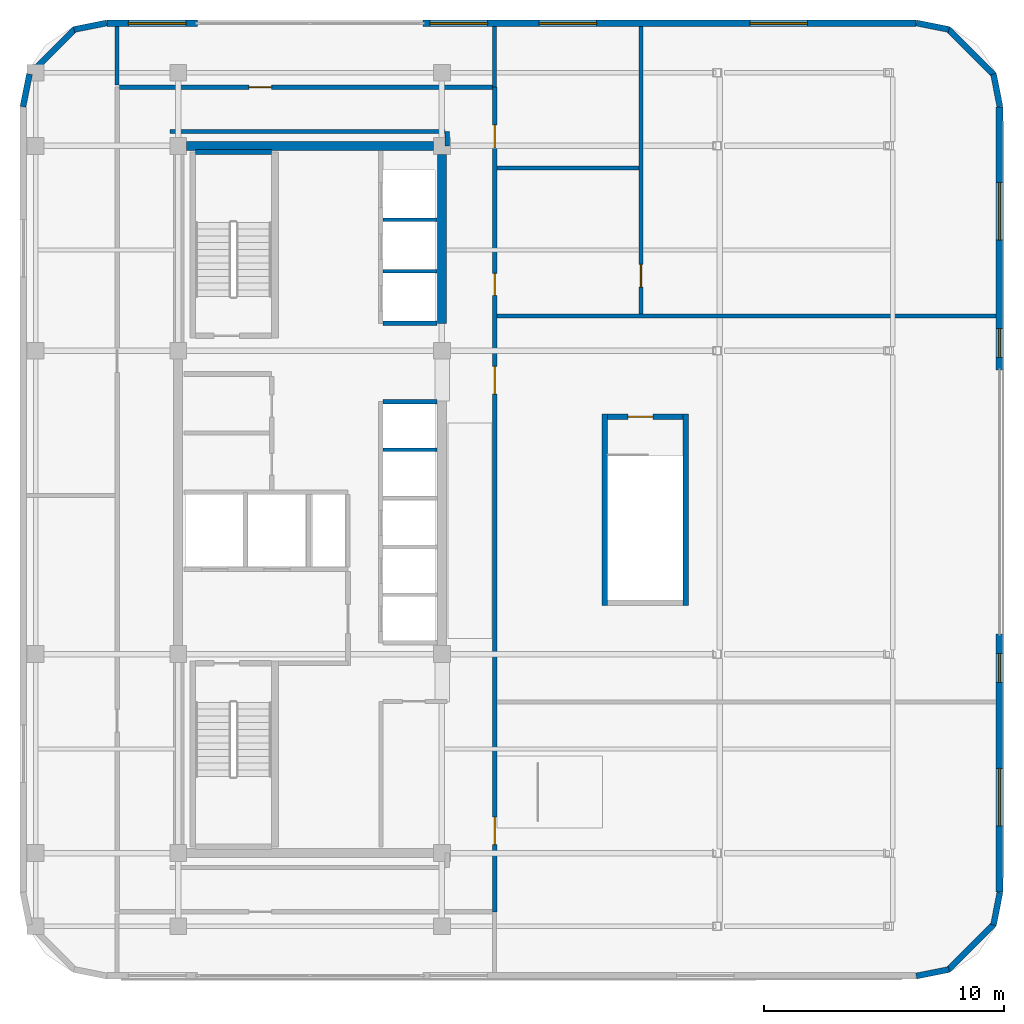
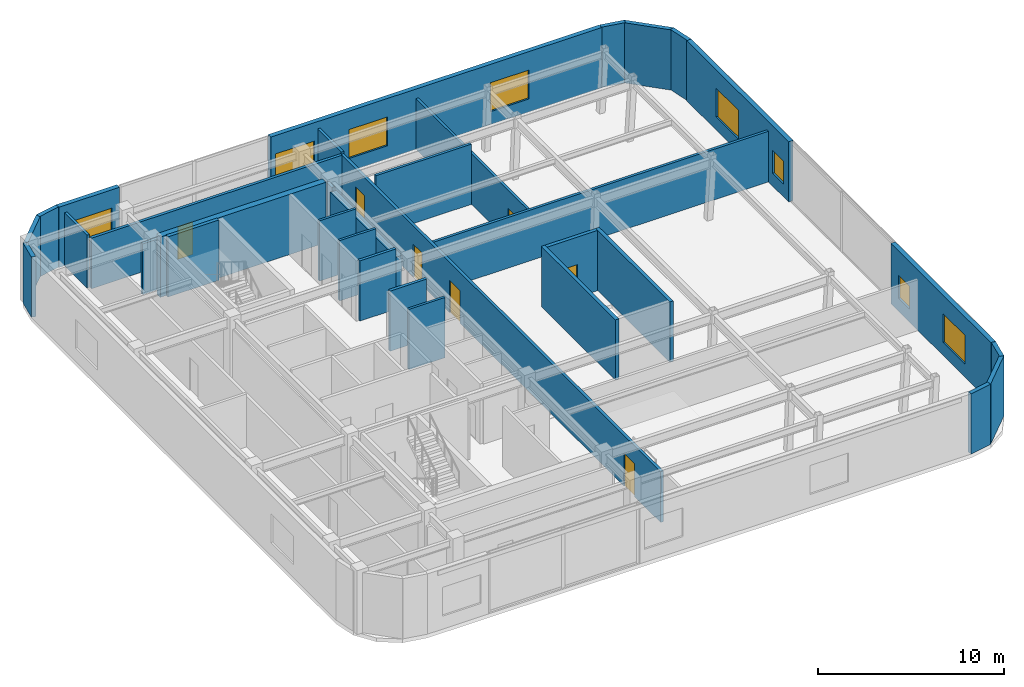
# One storey, part 7 of 11: 33 walls, 8 windows, 7 doors, 15 openings.
"""IFC4 building model written with IfcOpenShell, lengths in metres."""

from ifc_helpers import new_model, si_unit, direction, frame, frame_2d, origin, place, context, subcontext, project, spatial, rectangle, extrude, material, layer, layer_set, type_object, element, fill, save


model = new_model("IFC4")

# Units and contexts
model_context = context("Model", 3, precision=1e-05, world=origin(), true_north=direction((0.0, 1.0)))
body_context = subcontext(model_context, "Body", "Model", "MODEL_VIEW")
ifc_project = project(units=[si_unit("LENGTHUNIT", "METRE"), si_unit("AREAUNIT", "SQUARE_METRE"), si_unit("VOLUMEUNIT", "CUBIC_METRE"), si_unit("PLANEANGLEUNIT", "RADIAN"), si_unit("MASSUNIT", "GRAM", prefix="KILO")], contexts=[model_context])

# Site, building, storey
site_placement = place(None, origin())
site = spatial("IfcSite", under=ifc_project, at=site_placement, CompositionType="ELEMENT")
building_placement = place(site_placement, origin())
building = spatial("IfcBuilding", under=site, at=building_placement, Name="Ochreholt Gables", CompositionType="ELEMENT")
storey_placement = place(building_placement, frame((0.0, 0.0, 192.0)))
storey = spatial("IfcBuildingStorey", under=building, at=storey_placement, Name="L50", CompositionType="ELEMENT", Elevation=192.0)

# Walls
ifc_material_1 = material(Name="Concrete 50 MPa", Category="concrete")
ifc_layer_1 = layer(ifc_material_1, 0.3798828125, Name="Concrete 50 MPa")
ifc_layer_set_1 = layer_set([ifc_layer_1], Name="Concrete 50 MPa")
wall_type_1 = type_object("IfcWallType", Name="WALL-CSW-380", PredefinedType="SHEAR", material=ifc_layer_set_1)
wall_1_placement = place(storey_placement, frame((35.2099609375, 31.35009765625, 0.0), z_axis=(0.0, 0.0, 1.0), x_axis=(0.0, 1.0, 0.0)))
element("IfcWall", 1, at=wall_1_placement, inside=storey, type_object=wall_type_1, Name="L50 Core North-East Shear Wall", PredefinedType="SHEAR", context=body_context, shape_type="SweptSolid", body=[
    extrude(rectangle(XDim=7.0498046875, YDim=0.3798828125, at=frame_2d((3.52490234375, 0.0))), origin(), (0.0, 0.0, 1.0), 3.347900390625),
])
wall_2_placement = place(storey_placement, frame((24.550048828125, 38.75, 0.0), z_axis=(0.0, 0.0, 1.0), x_axis=(1.0, 0.0, 0.0)))
element("IfcWall", 2, at=wall_2_placement, inside=storey, type_object=wall_type_1, Name="L50 Core North Shear Wall", PredefinedType="SHEAR", context=body_context, shape_type="SweptSolid", body=[
    extrude(rectangle(XDim=10.300048828125, YDim=0.3798828125, at=frame_2d((5.14990234375, 0.0))), origin(), (0.0, 0.0, 1.0), 3.9599609375),
])

# Wall, openings, windows
ifc_material_2 = material(Name="Precast concrete 40 MPa", Category="concrete")
ifc_layer_2 = layer(ifc_material_2, 0.280029296875, Name="Precast concrete 40 MPa")
ifc_layer_set_2 = layer_set([ifc_layer_2], Name="Precast concrete 40 MPa")
wall_type_2 = type_object("IfcWallType", Name="WALL-EXT-280", PredefinedType="SOLIDWALL", material=ifc_layer_set_2)
wall_3_placement = place(storey_placement, frame((58.4599609375, 7.6201171875, 0.0), z_axis=(0.0, 0.0, 1.0), x_axis=(0.0, 1.0, 0.0)))
wall_3 = element("IfcWall", 3, at=wall_3_placement, inside=storey, type_object=wall_type_2, Name="L50 East Facade Wall 1", PredefinedType="SOLIDWALL", context=body_context, shape_type="SweptSolid", body=[
    extrude(rectangle(XDim=10.77978515625, YDim=0.280029296875, at=frame_2d((5.389892578125, 0.0))), origin(), (0.0, 0.0, 1.0), 3.9599609375),
])
opening_1_placement = place(wall_3_placement, frame((2.764892578125, 0.0, 0.85009765625)))
opening_1 = element("IfcOpeningElement", 4, at=opening_1_placement, cuts=wall_3, Name="Opening WN-5", PredefinedType="OPENING", context=body_context, shape_type="SweptSolid", body=[
    extrude(rectangle(XDim=2.39990234375, YDim=1.89990234375, at=frame_2d((1.199951171875, 0.949951171875))), frame((0.0, 0.14990234375, 0.0), z_axis=(0.0, -1.0, 0.0), x_axis=(1.0, 0.0, 0.0)), (0.0, 0.0, 1.0), 0.300048828125),
])
opening_2_placement = place(wall_3_placement, frame((8.7548828125, 0.0, 0.85009765625)))
opening_2 = element("IfcOpeningElement", 5, at=opening_2_placement, cuts=wall_3, Name="Opening WN-3", PredefinedType="OPENING", context=body_context, shape_type="SweptSolid", body=[
    extrude(rectangle(XDim=1.199951171875, YDim=1.5, at=frame_2d((0.60009765625, 0.75))), frame((0.0, 0.14990234375, 0.0), z_axis=(0.0, -1.0, 0.0), x_axis=(1.0, 0.0, 0.0)), (0.0, 0.0, 1.0), 0.300048828125),
])
ifc_material_3 = material(Name="Triple-Glazed Thermally Broken Aluminium Window", Category="aluminium")
window_type_1 = type_object("IfcWindowType", Name="WIN-COM-2400", PartitioningType="SINGLE_PANEL", PredefinedType="WINDOW", material=ifc_material_3)
window_1_placement = place(opening_1_placement, origin())
window_1 = element("IfcWindow", 6, at=window_1_placement, inside=storey, type_object=window_type_1, Name="L50 Window W-EXT-E1-L50-1", OverallHeight=1.89990234375, OverallWidth=2.39990234375, PartitioningType="SINGLE_PANEL", PredefinedType="WINDOW", context=body_context, shape_type="SweptSolid", body=[
    extrude(rectangle(XDim=2.39990234375, YDim=1.89990234375, at=frame_2d((1.199951171875, 0.949951171875))), frame((0.0, 0.030029296875, 0.0), z_axis=(0.0, -1.0, 0.0), x_axis=(1.0, 0.0, 0.0)), (0.0, 0.0, 1.0), 0.06005859375),
])
fill(opening_1, window_1)
window_type_2 = type_object("IfcWindowType", Name="WIN-RES-1200", PartitioningType="SINGLE_PANEL", PredefinedType="WINDOW", material=ifc_material_3)
window_2_placement = place(opening_2_placement, origin())
window_2 = element("IfcWindow", 7, at=window_2_placement, inside=storey, type_object=window_type_2, Name="L50 Window W-EXT-E1-L50-2", OverallHeight=1.5, OverallWidth=1.199951171875, PartitioningType="SINGLE_PANEL", PredefinedType="WINDOW", context=body_context, shape_type="SweptSolid", body=[
    extrude(rectangle(XDim=1.199951171875, YDim=1.5, at=frame_2d((0.60009765625, 0.75))), frame((0.0, 0.030029296875, 0.0), z_axis=(0.0, -1.0, 0.0), x_axis=(1.0, 0.0, 0.0)), (0.0, 0.0, 1.0), 0.06005859375),
])
fill(opening_2, window_2)

wall_4_placement = place(storey_placement, frame((58.4599609375, 29.39990234375, 0.0), z_axis=(0.0, 0.0, 1.0), x_axis=(0.0, 1.0, 0.0)))
wall_4 = element("IfcWall", 8, at=wall_4_placement, inside=storey, type_object=wall_type_2, Name="L50 East Facade Wall 2", PredefinedType="SOLIDWALL", context=body_context, shape_type="SweptSolid", body=[
    extrude(rectangle(XDim=10.97998046875, YDim=0.280029296875, at=frame_2d((5.489990234375, 0.0))), origin(), (0.0, 0.0, 1.0), 3.9599609375),
])
opening_3_placement = place(wall_4_placement, frame((0.530029296875, 0.0, 0.85009765625)))
opening_3 = element("IfcOpeningElement", 9, at=opening_3_placement, cuts=wall_4, Name="Opening WN-3", PredefinedType="OPENING", context=body_context, shape_type="SweptSolid", body=[
    extrude(rectangle(XDim=1.199951171875, YDim=1.5, at=frame_2d((0.60009765625, 0.75))), frame((0.0, 0.14990234375, 0.0), z_axis=(0.0, -1.0, 0.0), x_axis=(1.0, 0.0, 0.0)), (0.0, 0.0, 1.0), 0.300048828125),
])
opening_4_placement = place(wall_4_placement, frame((5.419921875, 0.0, 0.85009765625)))
opening_4 = element("IfcOpeningElement", 10, at=opening_4_placement, cuts=wall_4, Name="Opening WN-5", PredefinedType="OPENING", context=body_context, shape_type="SweptSolid", body=[
    extrude(rectangle(XDim=2.39990234375, YDim=1.89990234375, at=frame_2d((1.199951171875, 0.949951171875))), frame((0.0, 0.14990234375, 0.0), z_axis=(0.0, -1.0, 0.0), x_axis=(1.0, 0.0, 0.0)), (0.0, 0.0, 1.0), 0.300048828125),
])
window_3_placement = place(opening_4_placement, origin())
window_3 = element("IfcWindow", 11, at=window_3_placement, inside=storey, type_object=window_type_1, Name="L50 Window W-EXT-E2-L50-2", OverallHeight=1.89990234375, OverallWidth=2.39990234375, PartitioningType="SINGLE_PANEL", PredefinedType="WINDOW", context=body_context, shape_type="SweptSolid", body=[
    extrude(rectangle(XDim=2.39990234375, YDim=1.89990234375, at=frame_2d((1.199951171875, 0.949951171875))), frame((0.0, 0.030029296875, 0.0), z_axis=(0.0, -1.0, 0.0), x_axis=(1.0, 0.0, 0.0)), (0.0, 0.0, 1.0), 0.06005859375),
])
fill(opening_4, window_3)
window_4_placement = place(opening_3_placement, origin())
window_4 = element("IfcWindow", 12, at=window_4_placement, inside=storey, type_object=window_type_2, Name="L50 Window W-EXT-E2-L50-1", OverallHeight=1.5, OverallWidth=1.199951171875, PartitioningType="SINGLE_PANEL", PredefinedType="WINDOW", context=body_context, shape_type="SweptSolid", body=[
    extrude(rectangle(XDim=1.199951171875, YDim=1.5, at=frame_2d((0.60009765625, 0.75))), frame((0.0, 0.030029296875, 0.0), z_axis=(0.0, -1.0, 0.0), x_axis=(1.0, 0.0, 0.0)), (0.0, 0.0, 1.0), 0.06005859375),
])
fill(opening_3, window_4)

wall_5_placement = place(storey_placement, frame((54.97998046875, 43.860107421875, 0.0), z_axis=(0.0, 0.0, 1.0), x_axis=(-1.0, 0.0, 0.0)))
wall_5 = element("IfcWall", 13, at=wall_5_placement, inside=storey, type_object=wall_type_2, Name="L50 North Facade Wall 1", PredefinedType="SOLIDWALL", context=body_context, shape_type="SweptSolid", body=[
    extrude(rectangle(XDim=20.580078125, YDim=0.280029296875, at=frame_2d((10.2900390625, 0.0))), origin(), (0.0, 0.0, 1.0), 3.9599609375),
])
opening_5_placement = place(wall_5_placement, frame((17.8798828125, 0.0, 0.85009765625)))
opening_5 = element("IfcOpeningElement", 14, at=opening_5_placement, cuts=wall_5, Name="Opening WN-5", PredefinedType="OPENING", context=body_context, shape_type="SweptSolid", body=[
    extrude(rectangle(XDim=2.39990234375, YDim=1.89990234375, at=frame_2d((1.199951171875, 0.949951171875))), frame((0.0, 0.14990234375, 0.0), z_axis=(0.0, -1.0, 0.0), x_axis=(1.0, 0.0, 0.0)), (0.0, 0.0, 1.0), 0.300048828125),
])
opening_6_placement = place(wall_5_placement, frame((13.330078125, 0.0, 0.85009765625)))
opening_6 = element("IfcOpeningElement", 15, at=opening_6_placement, cuts=wall_5, Name="Opening WN-5", PredefinedType="OPENING", context=body_context, shape_type="SweptSolid", body=[
    extrude(rectangle(XDim=2.39990234375, YDim=1.89990234375, at=frame_2d((1.199951171875, 0.949951171875))), frame((0.0, 0.14990234375, 0.0), z_axis=(0.0, -1.0, 0.0), x_axis=(1.0, 0.0, 0.0)), (0.0, 0.0, 1.0), 0.300048828125),
])
opening_7_placement = place(wall_5_placement, frame((4.5400390625, 0.0, 0.85009765625)))
opening_7 = element("IfcOpeningElement", 16, at=opening_7_placement, cuts=wall_5, Name="Opening WN-5", PredefinedType="OPENING", context=body_context, shape_type="SweptSolid", body=[
    extrude(rectangle(XDim=2.39990234375, YDim=1.89990234375, at=frame_2d((1.199951171875, 0.949951171875))), frame((0.0, 0.14990234375, 0.0), z_axis=(0.0, -1.0, 0.0), x_axis=(1.0, 0.0, 0.0)), (0.0, 0.0, 1.0), 0.300048828125),
])
window_5_placement = place(opening_5_placement, origin())
window_5 = element("IfcWindow", 17, at=window_5_placement, inside=storey, type_object=window_type_1, Name="L50 Window W-EXT-N1-L50-1", OverallHeight=1.89990234375, OverallWidth=2.39990234375, PartitioningType="SINGLE_PANEL", PredefinedType="WINDOW", context=body_context, shape_type="SweptSolid", body=[
    extrude(rectangle(XDim=2.39990234375, YDim=1.89990234375, at=frame_2d((1.199951171875, 0.949951171875))), frame((0.0, 0.030029296875, 0.0), z_axis=(0.0, -1.0, 0.0), x_axis=(1.0, 0.0, 0.0)), (0.0, 0.0, 1.0), 0.06005859375),
])
fill(opening_5, window_5)
window_6_placement = place(opening_6_placement, origin())
window_6 = element("IfcWindow", 18, at=window_6_placement, inside=storey, type_object=window_type_1, Name="L50 Window W-EXT-N1-L50-2", OverallHeight=1.89990234375, OverallWidth=2.39990234375, PartitioningType="SINGLE_PANEL", PredefinedType="WINDOW", context=body_context, shape_type="SweptSolid", body=[
    extrude(rectangle(XDim=2.39990234375, YDim=1.89990234375, at=frame_2d((1.199951171875, 0.949951171875))), frame((0.0, 0.030029296875, 0.0), z_axis=(0.0, -1.0, 0.0), x_axis=(1.0, 0.0, 0.0)), (0.0, 0.0, 1.0), 0.06005859375),
])
fill(opening_6, window_6)
window_7_placement = place(opening_7_placement, origin())
window_7 = element("IfcWindow", 19, at=window_7_placement, inside=storey, type_object=window_type_1, Name="L50 Window W-EXT-N1-L50-3", OverallHeight=1.89990234375, OverallWidth=2.39990234375, PartitioningType="SINGLE_PANEL", PredefinedType="WINDOW", context=body_context, shape_type="SweptSolid", body=[
    extrude(rectangle(XDim=2.39990234375, YDim=1.89990234375, at=frame_2d((1.199951171875, 0.949951171875))), frame((0.0, 0.030029296875, 0.0), z_axis=(0.0, -1.0, 0.0), x_axis=(1.0, 0.0, 0.0)), (0.0, 0.0, 1.0), 0.06005859375),
])
fill(opening_7, window_7)

# Wall, opening, window
wall_6_placement = place(storey_placement, frame((25.0, 43.860107421875, 0.0), z_axis=(0.0, 0.0, 1.0), x_axis=(-1.0, 0.0, 0.0)))
wall_6 = element("IfcWall", 20, at=wall_6_placement, inside=storey, type_object=wall_type_2, Name="L50 North Facade Wall 2", PredefinedType="SOLIDWALL", context=body_context, shape_type="SweptSolid", body=[
    extrude(rectangle(XDim=3.780029296875, YDim=0.280029296875, at=frame_2d((1.89013671875, 0.0))), origin(), (0.0, 0.0, 1.0), 3.9599609375),
])
opening_8_placement = place(wall_6_placement, frame((0.47509765625, 0.0, 0.85009765625)))
opening_8 = element("IfcOpeningElement", 21, at=opening_8_placement, cuts=wall_6, Name="Opening WN-5", PredefinedType="OPENING", context=body_context, shape_type="SweptSolid", body=[
    extrude(rectangle(XDim=2.39990234375, YDim=1.89990234375, at=frame_2d((1.199951171875, 0.949951171875))), frame((0.0, 0.14990234375, 0.0), z_axis=(0.0, -1.0, 0.0), x_axis=(1.0, 0.0, 0.0)), (0.0, 0.0, 1.0), 0.300048828125),
])
window_8_placement = place(opening_8_placement, origin())
window_8 = element("IfcWindow", 22, at=window_8_placement, inside=storey, type_object=window_type_1, Name="L50 Window W-EXT-N2-L50-1", OverallHeight=1.89990234375, OverallWidth=2.39990234375, PartitioningType="SINGLE_PANEL", PredefinedType="WINDOW", context=body_context, shape_type="SweptSolid", body=[
    extrude(rectangle(XDim=2.39990234375, YDim=1.89990234375, at=frame_2d((1.199951171875, 0.949951171875))), frame((0.0, 0.030029296875, 0.0), z_axis=(0.0, -1.0, 0.0), x_axis=(1.0, 0.0, 0.0)), (0.0, 0.0, 1.0), 0.06005859375),
])
fill(opening_8, window_8)

# Walls
ifc_layer_3 = layer(ifc_material_2, 0.25, Name="Precast concrete 40 MPa")
ifc_layer_set_3 = layer_set([ifc_layer_3], Name="Precast concrete 40 MPa")
wall_type_3 = type_object("IfcWallType", Name="WALL-EXT-CNR", PredefinedType="SOLIDWALL", material=ifc_layer_set_3)
wall_7_placement = place(storey_placement, frame((54.9833984375, 4.124267578125, 0.0), z_axis=(0.0, 0.0, 1.0), x_axis=(0.980809899341, 0.19496651342, 0.0)))
element("IfcWall", 23, at=wall_7_placement, inside=storey, type_object=wall_type_3, Name="L50 Rounded Corner Wall SE-1", PredefinedType="SOLIDWALL", context=body_context, shape_type="SweptSolid", body=[
    extrude(rectangle(XDim=1.388671875, YDim=0.25, at=frame_2d((0.6943359375, 0.0))), origin(), (0.0, 0.0, 1.0), 3.9599609375),
])
wall_8_placement = place(storey_placement, frame((56.294921875, 4.367919921875, 0.0), z_axis=(0.0, 0.0, 1.0), x_axis=(0.707106781187, 0.707106781187, 0.0)))
element("IfcWall", 24, at=wall_8_placement, inside=storey, type_object=wall_type_3, Name="L50 Rounded Corner Wall SE-2", PredefinedType="SOLIDWALL", context=body_context, shape_type="SweptSolid", body=[
    extrude(rectangle(XDim=2.7392578125, YDim=0.25, at=frame_2d((1.36962890625, 0.0))), origin(), (0.0, 0.0, 1.0), 3.9599609375),
])
for number, where, z_axis, x_axis, name in (
    (25, (58.205078125, 6.25439453125, 0.0), (0.0, 0.0, 1.0), (0.19496651342, 0.980809899341, 0.0), "L50 Rounded Corner Wall SE-3"),
    (26, (58.475830078125, 40.383544921875, 0.0), (0.0, 0.0, 1.0), (-0.19496651342, 0.980809899341, 0.0), "L50 Rounded Corner Wall NE-1"),
):
    element("IfcWall", number, at=place(storey_placement, frame(where, z_axis=z_axis, x_axis=x_axis)), inside=storey, type_object=wall_type_3, Name=name, PredefinedType="SOLIDWALL", context=body_context, shape_type="SweptSolid", body=[
        extrude(rectangle(XDim=1.388671875, YDim=0.25, at=frame_2d((0.6943359375, 0.0))), origin(), (0.0, 0.0, 1.0), 3.9599609375),
    ])
wall_9_placement = place(storey_placement, frame((58.23193359375, 41.695068359375, 0.0), z_axis=(0.0, 0.0, 1.0), x_axis=(-0.707106781187, 0.707106781187, 0.0)))
element("IfcWall", 27, at=wall_9_placement, inside=storey, type_object=wall_type_3, Name="L50 Rounded Corner Wall NE-2", PredefinedType="SOLIDWALL", context=body_context, shape_type="SweptSolid", body=[
    extrude(rectangle(XDim=2.7392578125, YDim=0.25, at=frame_2d((1.36962890625, 0.0))), origin(), (0.0, 0.0, 1.0), 3.9599609375),
])
for number, where, z_axis, x_axis, name in (
    (28, (56.345458984375, 43.60498046875, 0.0), (0.0, 0.0, 1.0), (-0.980809899341, 0.19496651342, 0.0), "L50 Rounded Corner Wall NE-3"),
    (29, (21.216552734375, 43.875732421875, 0.0), (0.0, 0.0, 1.0), (-0.980809899341, -0.19496651342, 0.0), "L50 Rounded Corner Wall NW-1"),
):
    element("IfcWall", number, at=place(storey_placement, frame(where, z_axis=z_axis, x_axis=x_axis)), inside=storey, type_object=wall_type_3, Name=name, PredefinedType="SOLIDWALL", context=body_context, shape_type="SweptSolid", body=[
        extrude(rectangle(XDim=1.388671875, YDim=0.25, at=frame_2d((0.6943359375, 0.0))), origin(), (0.0, 0.0, 1.0), 3.9599609375),
    ])
wall_10_placement = place(storey_placement, frame((19.905029296875, 43.632080078125, 0.0), z_axis=(0.0, 0.0, 1.0), x_axis=(-0.707106781187, -0.707106781187, 0.0)))
element("IfcWall", 30, at=wall_10_placement, inside=storey, type_object=wall_type_3, Name="L50 Rounded Corner Wall NW-2", PredefinedType="SOLIDWALL", context=body_context, shape_type="SweptSolid", body=[
    extrude(rectangle(XDim=2.7392578125, YDim=0.25, at=frame_2d((1.36962890625, 0.0))), origin(), (0.0, 0.0, 1.0), 3.9599609375),
])
wall_11_placement = place(storey_placement, frame((17.9951171875, 41.74560546875, 0.0), z_axis=(0.0, 0.0, 1.0), x_axis=(-0.195135625965, -0.9807762678, 0.0)))
element("IfcWall", 31, at=wall_11_placement, inside=storey, type_object=wall_type_3, Name="L50 Rounded Corner Wall NW-3", PredefinedType="SOLIDWALL", context=body_context, shape_type="SweptSolid", body=[
    extrude(rectangle(XDim=1.388671875, YDim=0.25, at=frame_2d((0.6943359375, 0.0))), origin(), (0.0, 0.0, 1.0), 3.9599609375),
])

# Wall, openings, doors
ifc_material_4 = material(Name="Fire-Rated Gypsum Acoustic Partition", Category="gypsum")
ifc_layer_4 = layer(ifc_material_4, 0.179931640625, Name="Fire-Rated Gypsum Acoustic Partition")
ifc_layer_set_4 = layer_set([ifc_layer_4], Name="Fire-Rated Gypsum Acoustic Partition")
wall_type_4 = type_object("IfcWallType", Name="WALL-INT-CR180", PredefinedType="STANDARD", material=ifc_layer_set_4)
wall_12_placement = place(storey_placement, frame((37.39990234375, 6.800048828125, 0.0), z_axis=(0.0, 0.0, 1.0), x_axis=(0.0, 1.0, 0.0)))
wall_12 = element("IfcWall", 32, at=wall_12_placement, inside=storey, type_object=wall_type_4, Name="L50 Interior Wall WI-CMCE-L50", PredefinedType="STANDARD", context=body_context, shape_type="SweptSolid", body=[
    extrude(rectangle(XDim=34.39990234375, YDim=0.179931640625, at=frame_2d((17.199951171875, 0.0))), origin(), (0.0, 0.0, 1.0), 3.330078125),
])
opening_9_placement = place(wall_12_placement, frame((25.7099609375, 0.0, 0.0)))
opening_9 = element("IfcOpeningElement", 33, at=opening_9_placement, cuts=wall_12, Name="Opening D-WC1", PredefinedType="OPENING", context=body_context, shape_type="SweptSolid", body=[
    extrude(rectangle(XDim=0.919921875, YDim=2.139892578125, at=frame_2d((0.4599609375, 1.06982421875))), frame((0.0, 0.099853515625, 0.0), z_axis=(0.0, -1.0, 0.0), x_axis=(1.0, 0.0, 0.0)), (0.0, 0.0, 1.0), 0.199951171875),
])
opening_10_placement = place(wall_12_placement, frame((31.8798828125, 0.0, 0.0)))
opening_10 = element("IfcOpeningElement", 34, at=opening_10_placement, cuts=wall_12, Name="Opening D-WC2", PredefinedType="OPENING", context=body_context, shape_type="SweptSolid", body=[
    extrude(rectangle(XDim=0.949951171875, YDim=2.139892578125, at=frame_2d((0.47509765625, 1.06982421875))), frame((0.0, 0.099853515625, 0.0), z_axis=(0.0, -1.0, 0.0), x_axis=(1.0, 0.0, 0.0)), (0.0, 0.0, 1.0), 0.199951171875),
])
opening_11_placement = place(wall_12_placement, frame((2.800048828125, 0.0, 0.0)))
opening_11 = element("IfcOpeningElement", 35, at=opening_11_placement, cuts=wall_12, Name="Opening D-CM1", PredefinedType="OPENING", context=body_context, shape_type="SweptSolid", body=[
    extrude(rectangle(XDim=1.14990234375, YDim=2.14990234375, at=frame_2d((0.574951171875, 1.074951171875))), frame((0.0, 0.099853515625, 0.0), z_axis=(0.0, -1.0, 0.0), x_axis=(1.0, 0.0, 0.0)), (0.0, 0.0, 1.0), 0.199951171875),
])
opening_12_placement = place(wall_12_placement, frame((21.60009765625, 0.0, 0.0)))
opening_12 = element("IfcOpeningElement", 36, at=opening_12_placement, cuts=wall_12, Name="Opening D-CM1", PredefinedType="OPENING", context=body_context, shape_type="SweptSolid", body=[
    extrude(rectangle(XDim=1.14990234375, YDim=2.14990234375, at=frame_2d((0.574951171875, 1.074951171875))), frame((0.0, 0.099853515625, 0.0), z_axis=(0.0, -1.0, 0.0), x_axis=(1.0, 0.0, 0.0)), (0.0, 0.0, 1.0), 0.199951171875),
])
ifc_material_5 = material(Name="Engineered Oak Timber", Category="wood")
door_type_1 = type_object("IfcDoorType", Name="DR-INT-COM1150", OperationType="NOTDEFINED", PredefinedType="DOOR", material=ifc_material_5)
door_1_placement = place(opening_11_placement, origin())
door_1 = element("IfcDoor", 37, at=door_1_placement, inside=storey, type_object=door_type_1, Name="L50 Door D-CMS-L50", OperationType="SINGLE_SWING_LEFT", OverallHeight=2.14990234375, OverallWidth=1.14990234375, PredefinedType="DOOR", context=body_context, shape_type="SweptSolid", body=[
    extrude(rectangle(XDim=1.14990234375, YDim=2.14990234375, at=frame_2d((0.574951171875, 1.074951171875))), frame((0.0, 0.02490234375, 0.0), z_axis=(0.0, -1.0, 0.0), x_axis=(1.0, 0.0, 0.0)), (0.0, 0.0, 1.0), 0.050048828125),
])
fill(opening_11, door_1)
door_2_placement = place(opening_12_placement, origin())
door_2 = element("IfcDoor", 38, at=door_2_placement, inside=storey, type_object=door_type_1, Name="L50 Door D-CMM-L50", OperationType="SINGLE_SWING_RIGHT", OverallHeight=2.14990234375, OverallWidth=1.14990234375, PredefinedType="DOOR", context=body_context, shape_type="SweptSolid", body=[
    extrude(rectangle(XDim=1.14990234375, YDim=2.14990234375, at=frame_2d((0.574951171875, 1.074951171875))), frame((0.0, 0.02490234375, 0.0), z_axis=(0.0, -1.0, 0.0), x_axis=(1.0, 0.0, 0.0)), (0.0, 0.0, 1.0), 0.050048828125),
])
fill(opening_12, door_2)
door_type_2 = type_object("IfcDoorType", Name="DR-INT-WC920", OperationType="NOTDEFINED", PredefinedType="DOOR", material=ifc_material_5)
door_3_placement = place(opening_9_placement, origin())
door_3 = element("IfcDoor", 39, at=door_3_placement, inside=storey, type_object=door_type_2, Name="L50 Door D-CMWC1-L50", OperationType="SINGLE_SWING_LEFT", OverallHeight=2.139892578125, OverallWidth=0.919921875, PredefinedType="DOOR", context=body_context, shape_type="SweptSolid", body=[
    extrude(rectangle(XDim=0.919921875, YDim=2.139892578125, at=frame_2d((0.4599609375, 1.06982421875))), frame((0.0, 0.02490234375, 0.0), z_axis=(0.0, -1.0, 0.0), x_axis=(1.0, 0.0, 0.0)), (0.0, 0.0, 1.0), 0.050048828125),
])
fill(opening_9, door_3)
door_type_3 = type_object("IfcDoorType", Name="DR-INT-WC950", OperationType="NOTDEFINED", PredefinedType="DOOR", material=ifc_material_5)
door_4_placement = place(opening_10_placement, origin())
door_4 = element("IfcDoor", 40, at=door_4_placement, inside=storey, type_object=door_type_3, Name="L50 Door D-CMWC2-L50", OperationType="SINGLE_SWING_RIGHT", OverallHeight=2.139892578125, OverallWidth=0.949951171875, PredefinedType="DOOR", context=body_context, shape_type="SweptSolid", body=[
    extrude(rectangle(XDim=0.949951171875, YDim=2.139892578125, at=frame_2d((0.47509765625, 1.06982421875))), frame((0.0, 0.02490234375, 0.0), z_axis=(0.0, -1.0, 0.0), x_axis=(1.0, 0.0, 0.0)), (0.0, 0.0, 1.0), 0.050048828125),
])
fill(opening_10, door_4)

# Wall
wall_13_placement = place(storey_placement, frame((35.419921875, 38.75, 0.0), z_axis=(0.0, 0.0, 1.0), x_axis=(0.0, 1.0, 0.0)))
element("IfcWall", 41, at=wall_13_placement, inside=storey, type_object=wall_type_4, Name="L50 Interior Wall WI-CMCNW1-L50", PredefinedType="STANDARD", context=body_context, shape_type="SweptSolid", body=[
    extrude(rectangle(XDim=0.60009765625, YDim=0.179931640625, at=frame_2d((0.300048828125, 0.0))), origin(), (0.0, 0.0, 1.0), 3.330078125),
])

# Wall, opening, door
wall_14_placement = place(storey_placement, frame((21.739990234375, 41.199951171875, 0.0), z_axis=(0.0, 0.0, 1.0), x_axis=(1.0, 0.0, 0.0)))
wall_14 = element("IfcWall", 42, at=wall_14_placement, inside=storey, type_object=wall_type_4, Name="L50 Interior Wall WI-CMCN-L50", PredefinedType="STANDARD", context=body_context, shape_type="SweptSolid", body=[
    extrude(rectangle(XDim=15.570068359375, YDim=0.179931640625, at=frame_2d((7.78515625, 0.0))), origin(), (0.0, 0.0, 1.0), 3.330078125),
])
opening_13_placement = place(wall_14_placement, frame((5.409912109375, 0.0, 0.0)))
opening_13 = element("IfcOpeningElement", 43, at=opening_13_placement, cuts=wall_14, Name="Opening D-GN1", PredefinedType="OPENING", context=body_context, shape_type="SweptSolid", body=[
    extrude(rectangle(XDim=0.949951171875, YDim=2.14990234375, at=frame_2d((0.47509765625, 1.074951171875))), frame((0.0, 0.099853515625, 0.0), z_axis=(0.0, -1.0, 0.0), x_axis=(1.0, 0.0, 0.0)), (0.0, 0.0, 1.0), 0.199951171875),
])
door_type_4 = type_object("IfcDoorType", Name="DR-INT-GEN950", OperationType="NOTDEFINED", PredefinedType="DOOR", material=ifc_material_5)
door_5_placement = place(opening_13_placement, origin())
door_5 = element("IfcDoor", 44, at=door_5_placement, inside=storey, type_object=door_type_4, Name="L50 Door D-CMCN-L50", OperationType="SINGLE_SWING_RIGHT", OverallHeight=2.14990234375, OverallWidth=0.949951171875, PredefinedType="DOOR", context=body_context, shape_type="SweptSolid", body=[
    extrude(rectangle(XDim=0.949951171875, YDim=2.14990234375, at=frame_2d((0.47509765625, 1.074951171875))), frame((0.0, 0.02490234375, 0.0), z_axis=(0.0, -1.0, 0.0), x_axis=(1.0, 0.0, 0.0)), (0.0, 0.0, 1.0), 0.050048828125),
])
fill(opening_13, door_5)

# Wall
wall_15_placement = place(storey_placement, frame((23.85009765625, 39.35009765625, 0.0), z_axis=(0.0, 0.0, 1.0), x_axis=(1.0, 0.0, 0.0)))
element("IfcWall", 45, at=wall_15_placement, inside=storey, type_object=wall_type_4, Name="L50 Interior Wall WI-CMCN2-L50", PredefinedType="STANDARD", context=body_context, shape_type="SweptSolid", body=[
    extrude(rectangle(XDim=11.47998046875, YDim=0.179931640625, at=frame_2d((5.739990234375, 0.0))), origin(), (0.0, 0.0, 1.0), 3.330078125),
])

# Wall, opening, door
ifc_material_6 = material(Name="Moisture-Resistant Plumbing Chase Wall", Category="gypsum")
ifc_layer_5 = layer(ifc_material_6, 0.159912109375, Name="Moisture-Resistant Plumbing Chase Wall")
ifc_layer_set_5 = layer_set([ifc_layer_5], Name="Moisture-Resistant Plumbing Chase Wall")
wall_type_5 = type_object("IfcWallType", Name="WALL-INT-PL160", PredefinedType="PLUMBINGWALL", material=ifc_layer_set_5)
wall_16_placement = place(storey_placement, frame((43.5, 31.742431640625, 0.0), z_axis=(0.0, 0.0, 1.0), x_axis=(0.0, 1.0, 0.0)))
wall_16 = element("IfcWall", 46, at=wall_16_placement, inside=storey, type_object=wall_type_5, Name="L50 Interior Wall WI-CMWC-L50", PredefinedType="PLUMBINGWALL", context=body_context, shape_type="SweptSolid", body=[
    extrude(rectangle(XDim=11.9775390625, YDim=0.159912109375, at=frame_2d((5.98876953125, 0.0))), origin(), (0.0, 0.0, 1.0), 3.330078125),
])
opening_14_placement = place(wall_16_placement, frame((1.117431640625, 0.0, 0.0)))
opening_14 = element("IfcOpeningElement", 47, at=opening_14_placement, cuts=wall_16, Name="Opening D-GN1", PredefinedType="OPENING", context=body_context, shape_type="SweptSolid", body=[
    extrude(rectangle(XDim=0.949951171875, YDim=2.14990234375, at=frame_2d((0.47509765625, 1.074951171875))), frame((0.0, 0.08984375, 0.0), z_axis=(0.0, -1.0, 0.0), x_axis=(1.0, 0.0, 0.0)), (0.0, 0.0, 1.0), 0.179931640625),
])
door_6_placement = place(opening_14_placement, origin())
door_6 = element("IfcDoor", 48, at=door_6_placement, inside=storey, type_object=door_type_4, Name="L50 Door D-CMNE-L50", OperationType="SINGLE_SWING_LEFT", OverallHeight=2.14990234375, OverallWidth=0.949951171875, PredefinedType="DOOR", context=body_context, shape_type="SweptSolid", body=[
    extrude(rectangle(XDim=0.949951171875, YDim=2.14990234375, at=frame_2d((0.47509765625, 1.074951171875))), frame((0.0, 0.02490234375, 0.0), z_axis=(0.0, -1.0, 0.0), x_axis=(1.0, 0.0, 0.0)), (0.0, 0.0, 1.0), 0.050048828125),
])
fill(opening_14, door_6)

# Walls
wall_17_placement = place(storey_placement, frame((37.489990234375, 37.830078125, 0.0), z_axis=(0.0, 0.0, 1.0), x_axis=(1.0, 0.0, 0.0)))
element("IfcWall", 49, at=wall_17_placement, inside=storey, type_object=wall_type_5, Name="L50 Interior Wall WI-CMWCD-L50", PredefinedType="PLUMBINGWALL", context=body_context, shape_type="SweptSolid", body=[
    extrude(rectangle(XDim=5.929931640625, YDim=0.159912109375, at=frame_2d((2.96484375, 0.0))), origin(), (0.0, 0.0, 1.0), 3.9599609375),
])
ifc_material_7 = material(Name="Gypsum Acoustic Stud Partition", Category="gypsum")
ifc_layer_6 = layer(ifc_material_7, 0.1650390625, Name="Gypsum Acoustic Stud Partition")
ifc_layer_set_6 = layer_set([ifc_layer_6], Name="Gypsum Acoustic Stud Partition")
wall_type_6 = type_object("IfcWallType", Name="WALL-INT-PT165", PredefinedType="PARTITIONING", material=ifc_layer_set_6)
wall_18_placement = place(storey_placement, frame((37.39990234375, 41.199951171875, 0.0), z_axis=(0.0, 0.0, 1.0), x_axis=(0.0, 1.0, 0.0)))
element("IfcWall", 50, at=wall_18_placement, inside=storey, type_object=wall_type_6, Name="L50 Interior Wall WI-CMCEN-L50", PredefinedType="PARTITIONING", context=body_context, shape_type="SweptSolid", body=[
    extrude(rectangle(XDim=2.52001953125, YDim=0.1650390625, at=frame_2d((1.260009765625, 0.0))), origin(), (0.0, 0.0, 1.0), 3.47900390625),
])
wall_19_placement = place(storey_placement, frame((37.489990234375, 31.659912109375, 0.0), z_axis=(0.0, 0.0, 1.0), x_axis=(1.0, 0.0, 0.0)))
element("IfcWall", 51, at=wall_19_placement, inside=storey, type_object=wall_type_6, Name="L50 Interior Wall WI-CME2-L50", PredefinedType="PARTITIONING", context=body_context, shape_type="SweptSolid", body=[
    extrude(rectangle(XDim=20.830078125, YDim=0.1650390625, at=frame_2d((10.4150390625, 0.0))), origin(), (0.0, 0.0, 1.0), 3.330078125),
])
wall_20_placement = place(storey_placement, frame((21.64990234375, 41.2900390625, 0.0), z_axis=(0.0, 0.0, 1.0), x_axis=(0.0, 1.0, 0.0)))
element("IfcWall", 52, at=wall_20_placement, inside=storey, type_object=wall_type_6, Name="L50 Interior Wall WI-CMCWN-L50", PredefinedType="PARTITIONING", context=body_context, shape_type="SweptSolid", body=[
    extrude(rectangle(XDim=2.429931640625, YDim=0.1650390625, at=frame_2d((1.21484375, 0.0))), origin(), (0.0, 0.0, 1.0), 3.47900390625),
])
ifc_material_8 = material(Name="Gypsum Shaftliner and Steel Stud", Category="steel")
ifc_layer_7 = layer(ifc_material_8, 0.14990234375, Name="Gypsum Shaftliner and Steel Stud")
ifc_layer_set_7 = layer_set([ifc_layer_7], Name="Gypsum Shaftliner and Steel Stud")
wall_type_7 = type_object("IfcWallType", Name="WALL-INT-SH150", PredefinedType="STANDARD", material=ifc_layer_set_7)
for number, where, z_axis, x_axis, name in (
    (53, (32.739990234375, 26.070068359375, 0.0), (0.0, 0.0, 1.0), (1.0, 0.0, 0.0), "L50 Interior Wall WI-LFHE-DEX1-L50"),
    (54, (32.739990234375, 33.52001953125, 0.0), (0.0, 0.0, 1.0), (1.0, 0.0, 0.0), "L50 Interior Wall WI-LFM-D1-L50"),
    (55, (32.739990234375, 35.669921875, 0.0), (0.0, 0.0, 1.0), (1.0, 0.0, 0.0), "L50 Interior Wall WI-LFM-D2-L50"),
):
    element("IfcWall", number, at=place(storey_placement, frame(where, z_axis=z_axis, x_axis=x_axis)), inside=storey, type_object=wall_type_7, Name=name, PredefinedType="STANDARD", context=body_context, shape_type="SweptSolid", body=[
        extrude(rectangle(XDim=2.260009765625, YDim=0.14990234375, at=frame_2d((1.1298828125, 0.0))), origin(), (0.0, 0.0, 1.0), 3.9599609375),
    ])
ifc_layer_8 = layer(ifc_material_8, 0.179931640625, Name="Gypsum Shaftliner and Steel Stud")
ifc_layer_set_8 = layer_set([ifc_layer_8], Name="Gypsum Shaftliner and Steel Stud")
wall_type_8 = type_object("IfcWallType", Name="WALL-INT-SH180", PredefinedType="STANDARD", material=ifc_layer_set_8)
for number, where, z_axis, x_axis, name in (
    (56, (32.739990234375, 28.080078125, 0.0), (0.0, 0.0, 1.0), (1.0, 0.0, 0.0), "L50 Interior Wall WI-LFHE-N-L50"),
    (57, (32.739990234375, 31.35009765625, 0.0), (0.0, 0.0, 1.0), (1.0, 0.0, 0.0), "L50 Interior Wall WI-LFM-S-L50"),
):
    element("IfcWall", number, at=place(storey_placement, frame(where, z_axis=z_axis, x_axis=x_axis)), inside=storey, type_object=wall_type_8, Name=name, PredefinedType="STANDARD", context=body_context, shape_type="SweptSolid", body=[
        extrude(rectangle(XDim=2.260009765625, YDim=0.179931640625, at=frame_2d((1.1298828125, 0.0))), origin(), (0.0, 0.0, 1.0), 3.9599609375),
    ])
ifc_layer_9 = layer(ifc_material_1, 0.219970703125, Name="Concrete 50 MPa")
ifc_layer_set_9 = layer_set([ifc_layer_9], Name="Concrete 50 MPa")
wall_type_9 = type_object("IfcWallType", Name="WALL-STW-220", PredefinedType="SHEAR", material=ifc_layer_set_9)
wall_21_placement = place(storey_placement, frame((24.919921875, 38.489990234375, 0.0), z_axis=(0.0, 0.0, 1.0), x_axis=(1.0, 0.0, 0.0)))
element("IfcWall", 58, at=wall_21_placement, inside=storey, type_object=wall_type_9, Name="L50 Exit Stair 2 North Wall", PredefinedType="SHEAR", context=body_context, shape_type="SweptSolid", body=[
    extrude(rectangle(XDim=3.16015625, YDim=0.219970703125, at=frame_2d((1.580078125, 0.0))), origin(), (0.0, 0.0, 1.0), 3.9599609375),
])
for number, where, z_axis, x_axis, name in (
    (59, (41.989990234375, 19.580078125, 0.0), (0.0, 0.0, 1.0), (0.0, 1.0, 0.0), "L50 Feature Stair ST-C5 West Wall"),
    (60, (45.3701171875, 19.580078125, 0.0), (0.0, 0.0, 1.0), (0.0, 1.0, 0.0), "L50 Feature Stair ST-C5 East Wall"),
):
    element("IfcWall", number, at=place(storey_placement, frame(where, z_axis=z_axis, x_axis=x_axis)), inside=storey, type_object=wall_type_9, Name=name, PredefinedType="SHEAR", context=body_context, shape_type="SweptSolid", body=[
        extrude(rectangle(XDim=7.97998046875, YDim=0.219970703125, at=frame_2d((3.989990234375, 0.0))), origin(), (0.0, 0.0, 1.0), 3.9599609375),
    ])

# Wall, opening, door
wall_22_placement = place(storey_placement, frame((42.10009765625, 27.449951171875, 0.0), z_axis=(0.0, 0.0, 1.0), x_axis=(1.0, 0.0, 0.0)))
wall_22 = element("IfcWall", 61, at=wall_22_placement, inside=storey, type_object=wall_type_9, Name="L50 Feature Stair ST-C5 North Wall", PredefinedType="SHEAR", context=body_context, shape_type="SweptSolid", body=[
    extrude(rectangle(XDim=3.159912109375, YDim=0.219970703125, at=frame_2d((1.580078125, 0.0))), origin(), (0.0, 0.0, 1.0), 3.9599609375),
])
opening_15_placement = place(wall_22_placement, frame((0.85009765625, 0.0, 0.0)))
opening_15 = element("IfcOpeningElement", 62, at=opening_15_placement, cuts=wall_22, Name="Opening D-STC", PredefinedType="OPENING", context=body_context, shape_type="SweptSolid", body=[
    extrude(rectangle(XDim=1.050048828125, YDim=2.14990234375, at=frame_2d((0.52490234375, 1.074951171875))), frame((0.0, 0.119873046875, 0.0), z_axis=(0.0, -1.0, 0.0), x_axis=(1.0, 0.0, 0.0)), (0.0, 0.0, 1.0), 0.239990234375),
])
ifc_material_9 = material(Name="Hollow Metal Steel", Category="steel")
door_type_5 = type_object("IfcDoorType", Name="DR-INT-ST1050", OperationType="NOTDEFINED", PredefinedType="DOOR", material=ifc_material_9)
door_7_placement = place(opening_15_placement, frame((1.050048828125, 0.0, 0.0), z_axis=(0.0, 0.0, 1.0), x_axis=(-1.0, 0.0, 0.0)))
door_7 = element("IfcDoor", 63, at=door_7_placement, inside=storey, type_object=door_type_5, Name="L50 Door D-FST-L50", OperationType="SINGLE_SWING_LEFT", OverallHeight=2.14990234375, OverallWidth=1.050048828125, PredefinedType="DOOR", context=body_context, shape_type="SweptSolid", body=[
    extrude(rectangle(XDim=1.050048828125, YDim=2.14990234375, at=frame_2d((0.52490234375, 1.074951171875))), frame((0.0, 0.02490234375, 0.0), z_axis=(0.0, -1.0, 0.0), x_axis=(1.0, 0.0, 0.0)), (0.0, 0.0, 1.0), 0.050048828125),
])
fill(opening_15, door_7)

save(model, "model.ifc")
